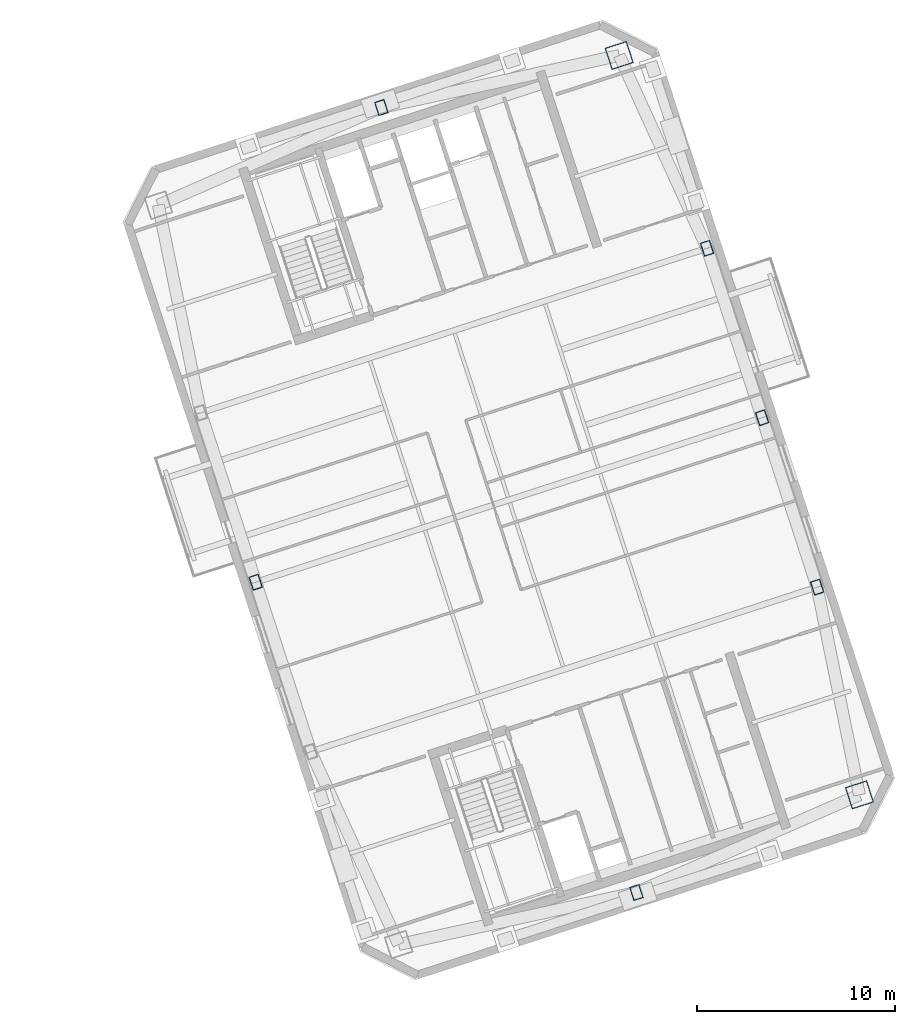
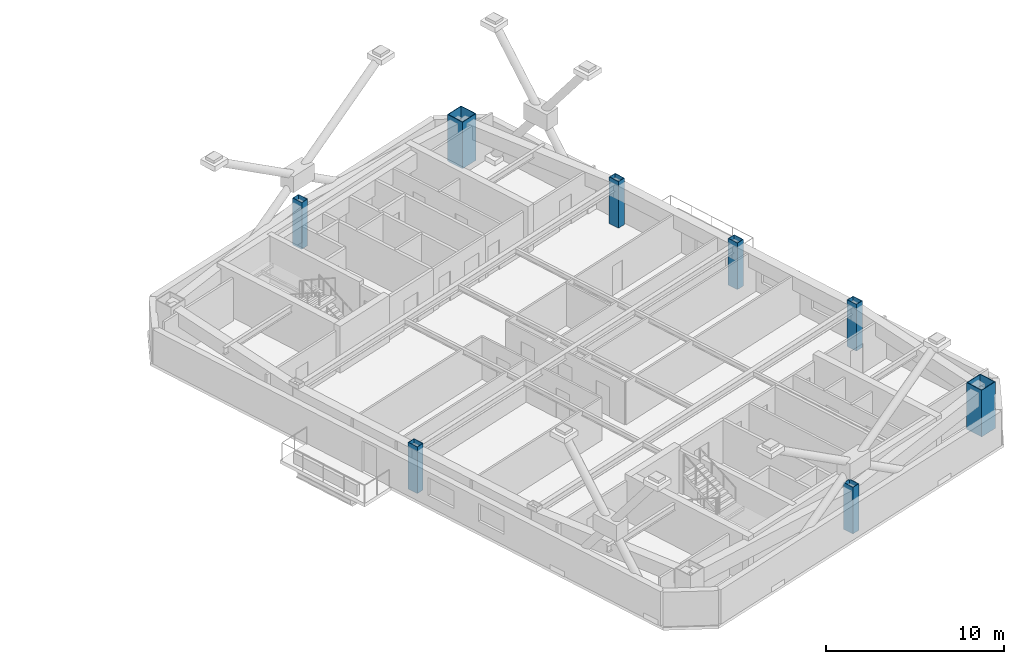
# One storey, part 2 of 16: 8 columns.
"""IFC4 building model written with IfcOpenShell, lengths in metres."""

from ifc_helpers import new_model, si_unit, direction, frame, origin, origin_2d, place, context, subcontext, project, spatial, hollow_rectangle, extrude, material, material_profile, profile_set, type_object, element, save


model = new_model("IFC4")

# Units and contexts
model_context = context("Model", 3, precision=1e-05, world=origin(), true_north=direction((0.0, 1.0)))
body_context = subcontext(model_context, "Body", "Model", "MODEL_VIEW")
ifc_project = project(units=[si_unit("LENGTHUNIT", "METRE"), si_unit("AREAUNIT", "SQUARE_METRE"), si_unit("VOLUMEUNIT", "CUBIC_METRE"), si_unit("PLANEANGLEUNIT", "RADIAN"), si_unit("MASSUNIT", "GRAM", prefix="KILO")], contexts=[model_context])

# Site, building, storey
site_placement = place(None, origin())
site = spatial("IfcSite", under=ifc_project, at=site_placement, CompositionType="ELEMENT")
building_placement = place(site_placement, origin())
building = spatial("IfcBuilding", under=site, at=building_placement, Name="Qiaolan Cultural Towers", CompositionType="ELEMENT")
storey_placement = place(building_placement, frame((0.0, 0.0, 240.800048828125)))
storey = spatial("IfcBuildingStorey", under=building, at=storey_placement, Name="L65", CompositionType="ELEMENT", Elevation=240.800048828125)

# Columns
ifc_material_1 = material(Name="Steel Q390GJB", Category="steel")
ifc_material_profile_1 = material_profile(ifc_material_1, hollow_rectangle(XDim=1.14990234375, YDim=1.14990234375, WallThickness=0.0400390625, at=origin_2d()), Name="BOX1150x1150x40")
ifc_profile_set_1 = profile_set([ifc_material_profile_1], Name="Steel Q390GJB")
column_type_1 = type_object("IfcColumnType", Name="COL-BOX1150x1150x40", PredefinedType="COLUMN", material=ifc_profile_set_1)
for number, where, z_axis, x_axis, name in (
    (1, (107.7099609375, 19.103515625, 0.0), (0.0, 0.0, 1.0), (0.951056516295, 0.309016994375, 0.0), "L65 T2 Perimeter Column MC-SE"),
    (2, (95.57177734375, 56.461181640625, 0.0), (0.0, 0.0, 1.0), (0.951056516295, 0.309016994375, 0.0), "L65 T2 Perimeter Column MC-NE"),
):
    element("IfcColumn", number, at=place(storey_placement, frame(where, z_axis=z_axis, x_axis=x_axis)), inside=storey, type_object=column_type_1, Name=name, PredefinedType="COLUMN", context=body_context, shape_type="SweptSolid", body=[
        extrude(hollow_rectangle(XDim=1.14990234375, YDim=1.14990234375, WallThickness=0.0400390625, at=origin_2d()), origin(), (0.0, 0.0, 1.0), 3.200927734375),
    ])
ifc_material_2 = material(Name="Steel Q355B", Category="steel")
ifc_material_profile_2 = material_profile(ifc_material_2, hollow_rectangle(XDim=0.5, YDim=0.699951171875, WallThickness=0.02490234375, at=origin_2d()), Name="BOX700x500x25")
ifc_profile_set_2 = profile_set([ifc_material_profile_2], Name="Steel Q355B")
column_type_2 = type_object("IfcColumnType", Name="COL-BOX700x500x25", PredefinedType="COLUMN", material=ifc_profile_set_2)
for number, where, z_axis, x_axis, name in (
    (3, (77.208251953125, 29.84375, 0.0), (0.0, 0.0, 1.0), (0.951056516295, 0.309016994375, 0.0), "L65 T2 Perimeter Column PC-W2"),
    (4, (105.57275390625, 29.5966796875, 0.0), (0.0, 0.0, 1.0), (0.951056516295, 0.309016994375, 0.0), "L65 T2 Perimeter Column PC-E1"),
    (5, (102.791748046875, 38.15625, 0.0), (0.0, 0.0, 1.0), (0.951056516295, 0.309016994375, 0.0), "L65 T2 Perimeter Column PC-E2"),
    (6, (100.010498046875, 46.7158203125, 0.0), (0.0, 0.0, 1.0), (0.951056516295, 0.309016994375, 0.0), "L65 T2 Perimeter Column PC-E3"),
    (7, (96.443115234375, 14.17041015625, 0.0), (0.0, 0.0, 1.0), (0.951056516295, 0.309016994375, 0.0), "L65 T2 Perimeter Column PC-S0"),
    (8, (83.556884765625, 53.82958984375, 0.0), (0.0, 0.0, 1.0), (0.951056516295, 0.309016994375, 0.0), "L65 T2 Perimeter Column PC-N0"),
):
    element("IfcColumn", number, at=place(storey_placement, frame(where, z_axis=z_axis, x_axis=x_axis)), inside=storey, type_object=column_type_2, Name=name, PredefinedType="COLUMN", context=body_context, shape_type="SweptSolid", body=[
        extrude(hollow_rectangle(XDim=0.5, YDim=0.699951171875, WallThickness=0.02490234375, at=origin_2d()), origin(), (0.0, 0.0, 1.0), 3.200927734375),
    ])

save(model, "model.ifc")
